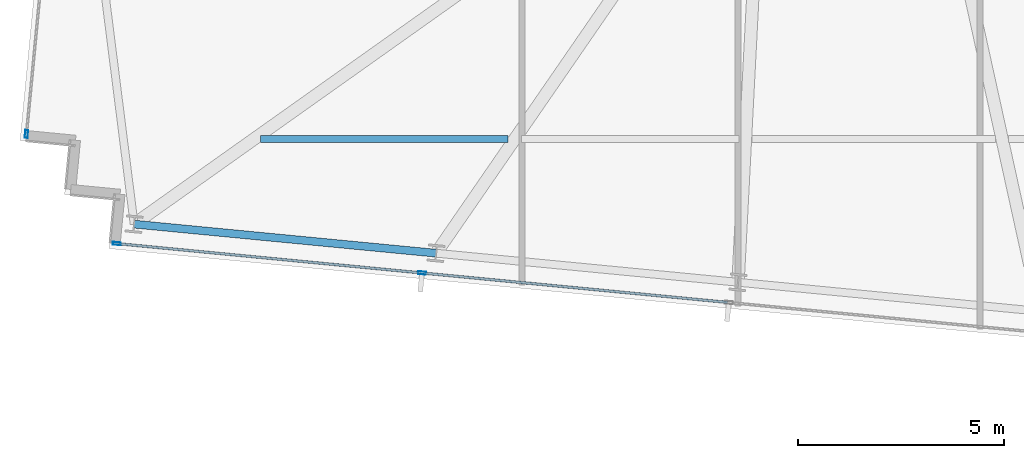
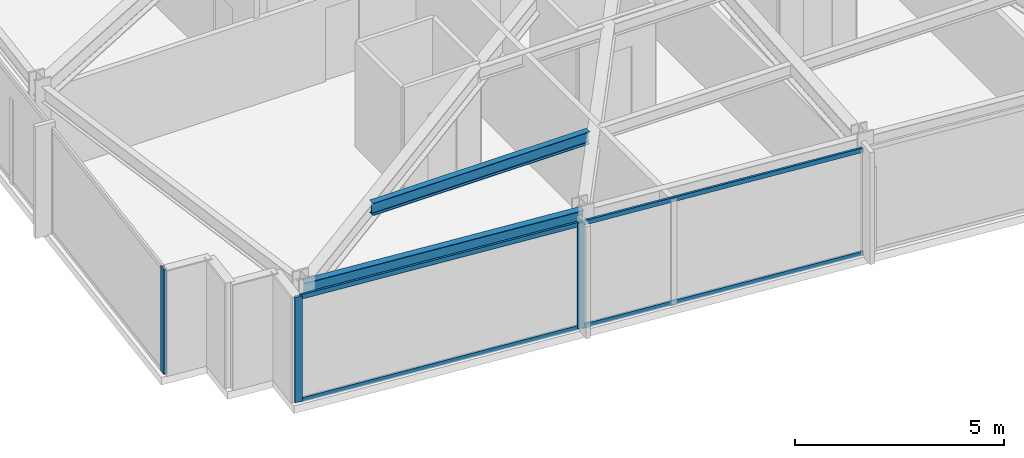
# One storey, part 2 of 38: 7 members, 2 beams, 2 elements without a shape of their own.
"""IFC4 building model written with IfcOpenShell, lengths in metres."""

from ifc_helpers import new_model, si_unit, direction, frame, origin, origin_2d, place, context, subcontext, project, spatial, hollow_rectangle, i_section, extrude, material, material_profile, profile_set, type_object, element, aggregate, save


model = new_model("IFC4")

# Units and contexts
model_context = context("Model", 3, precision=1e-05, world=origin(), true_north=direction((0.0, 1.0)))
body_context = subcontext(model_context, "Body", "Model", "MODEL_VIEW")
ifc_project = project(units=[si_unit("LENGTHUNIT", "METRE"), si_unit("AREAUNIT", "SQUARE_METRE"), si_unit("VOLUMEUNIT", "CUBIC_METRE"), si_unit("PLANEANGLEUNIT", "RADIAN"), si_unit("MASSUNIT", "GRAM", prefix="KILO")], contexts=[model_context])

# Site, building, storey
site_placement = place(None, origin())
site = spatial("IfcSite", under=ifc_project, at=site_placement, CompositionType="ELEMENT")
building_placement = place(site_placement, origin())
building = spatial("IfcBuilding", under=site, at=building_placement, Name="Yelkora Congress Tower", CompositionType="ELEMENT")
storey_placement = place(building_placement, frame((0.0, 0.0, 155.60009765625)))
storey = spatial("IfcBuildingStorey", under=building, at=storey_placement, Name="L42", CompositionType="ELEMENT", Elevation=155.60009765625)

# Beams
ifc_material_1 = material(Name="Steel S355J2", Category="steel")
ifc_material_profile_1 = material_profile(ifc_material_1, i_section(OverallWidth=0.169921875, OverallDepth=0.360107421875, WebThickness=0.008056640625, FlangeThickness=0.0126953125, FilletRadius=0.01806640625, at=origin_2d()), Name="IPE 360")
ifc_profile_set_1 = profile_set([ifc_material_profile_1], Name="Steel S355J2")
beam_type_1 = type_object("IfcBeamType", Name="BM-JOIST-IPE360", PredefinedType="JOIST", material=ifc_profile_set_1)
beam_1_placement = place(storey_placement, frame((6.98779296875, 16.421142578125, 2.89990234375), z_axis=(1.0, 0.0, 0.0), x_axis=(0.0, 1.0, 0.0)))
element("IfcBeam", 1, at=beam_1_placement, inside=storey, type_object=beam_type_1, Name="L42 Composite Floor Joist 5", PredefinedType="JOIST", context=body_context, shape_type="SweptSolid", body=[
    extrude(i_section(OverallWidth=0.169921875, OverallDepth=0.360107421875, WebThickness=0.008056640625, FlangeThickness=0.0126953125, FilletRadius=0.01806640625, at=origin_2d()), origin(), (0.0, 0.0, 1.0), 6.002685546875),
])
ifc_material_profile_2 = material_profile(ifc_material_1, i_section(OverallWidth=0.18994140625, OverallDepth=0.449951171875, WebThickness=0.009521484375, FlangeThickness=0.0146484375, FilletRadius=0.02099609375, at=origin_2d()), Name="IPE 450")
ifc_profile_set_2 = profile_set([ifc_material_profile_2], Name="Steel S355J2")
beam_type_2 = type_object("IfcBeamType", Name="BM-SPAN-IPE450", PredefinedType="SPANDREL", material=ifc_profile_set_2)
beam_2_placement = place(storey_placement, frame((3.919189453125, 14.357421875, 2.85498046875), z_axis=(0.995393938538, -0.095869218844, 0.0), x_axis=(0.095869218844, 0.995393938538, 0.0)))
element("IfcBeam", 2, at=beam_2_placement, inside=storey, type_object=beam_type_2, Name="L42 Perimeter Beam 2", PredefinedType="SPANDREL", context=body_context, shape_type="SweptSolid", body=[
    extrude(i_section(OverallWidth=0.18994140625, OverallDepth=0.449951171875, WebThickness=0.009521484375, FlangeThickness=0.0146484375, FilletRadius=0.02099609375, at=origin_2d()), origin(), (0.0, 0.0, 1.0), 7.357177734375),
])

# Curtain wall, member
ifc_material_2 = material(Name="Anodised aluminium and insulated glass", Category="aluminium")
curtain_wall_type = type_object("IfcCurtainWallType", Name="CW-SYS-B3", PredefinedType="NOTDEFINED", material=ifc_material_2)
curtain_wall_1_placement = place(storey_placement, origin())
curtain_wall_1 = element("IfcCurtainWall", 3, at=curtain_wall_1_placement, inside=storey, type_object=curtain_wall_type, Name="L42 Unitised Curtain Wall 5", PredefinedType="NOTDEFINED")
ifc_material_3 = material(Name="Anodised aluminium 6063-T6", Category="aluminium")
ifc_material_profile_3 = material_profile(ifc_material_3, hollow_rectangle(XDim=0.070068359375, YDim=0.18994140625, WallThickness=0.00390625, at=origin_2d()), Name="ALU 70x190x4")
ifc_profile_set_3 = profile_set([ifc_material_profile_3], Name="Anodised aluminium 6063-T6")
member_type_1 = type_object("IfcMemberType", Name="MEM-ML-B3", PredefinedType="MULLION", material=ifc_profile_set_3)
member_1_placement = place(storey_placement, frame((1.306640625, 16.542724609375, 0.0), z_axis=(0.0, 0.0, 1.0), x_axis=(-0.995396242473, 0.095845294465, 0.0)))
member_1 = element("IfcMember", 4, at=member_1_placement, type_object=member_type_1, Name="CW-B3 mullion 1", PredefinedType="MULLION", context=body_context, shape_type="SweptSolid", body=[
    extrude(hollow_rectangle(XDim=0.070068359375, YDim=0.18994140625, WallThickness=0.00390625, at=origin_2d()), origin(), (0.0, 0.0, 1.0), 3.079833984375),
])
aggregate(curtain_wall_1, [member_1])

# Curtain wall, members
curtain_wall_2_placement = place(storey_placement, origin())
curtain_wall_2 = element("IfcCurtainWall", 5, at=curtain_wall_2_placement, inside=storey, type_object=curtain_wall_type, Name="L42 Unitised Curtain Wall 20", PredefinedType="NOTDEFINED")
member_2_placement = place(storey_placement, frame((10.902099609375, 13.172607421875, 0.0), z_axis=(0.0, 0.0, 1.0), x_axis=(-0.095844680679, -0.995396301573, 0.0)))
member_2 = element("IfcMember", 6, at=member_2_placement, type_object=member_type_1, Name="CW-B3 mullion 7", PredefinedType="MULLION", context=body_context, shape_type="SweptSolid", body=[
    extrude(hollow_rectangle(XDim=0.070068359375, YDim=0.18994140625, WallThickness=0.00390625, at=origin_2d()), origin(), (0.0, 0.0, 1.0), 3.079833984375),
])
member_3_placement = place(storey_placement, frame((3.4970703125, 13.885498046875, 0.0), z_axis=(0.0, 0.0, 1.0), x_axis=(-0.095844680679, -0.995396301573, 0.0)))
member_3 = element("IfcMember", 7, at=member_3_placement, type_object=member_type_1, Name="CW-B3 mullion 8", PredefinedType="MULLION", context=body_context, shape_type="SweptSolid", body=[
    extrude(hollow_rectangle(XDim=0.070068359375, YDim=0.18994140625, WallThickness=0.00390625, at=origin_2d()), origin(), (0.0, 0.0, 1.0), 3.079833984375),
])
ifc_material_profile_4 = material_profile(ifc_material_3, hollow_rectangle(XDim=0.06005859375, YDim=0.1298828125, WallThickness=0.00390625, at=origin_2d()), Name="ALU 60x130x4")
ifc_profile_set_4 = profile_set([ifc_material_profile_4], Name="Anodised aluminium 6063-T6")
member_type_2 = type_object("IfcMemberType", Name="MEM-TR-B3", PredefinedType="USERDEFINED", material=ifc_profile_set_4)
member_4_placement = place(storey_placement, frame((18.30712890625, 12.45947265625, 0.02978515625), z_axis=(-0.99539548672, 0.095853142967, 0.0), x_axis=(-0.095853142967, -0.99539548672, 0.0)))
member_4 = element("IfcMember", 8, at=member_4_placement, type_object=member_type_2, Name="CW-B3 transom 6.1", ObjectType="TRANSOM", PredefinedType="USERDEFINED", context=body_context, shape_type="SweptSolid", body=[
    extrude(hollow_rectangle(XDim=0.06005859375, YDim=0.1298828125, WallThickness=0.00390625, at=origin_2d()), origin(), (0.0, 0.0, 1.0), 7.404296875),
])
member_5_placement = place(storey_placement, frame((18.30712890625, 12.45947265625, 3.0498046875), z_axis=(-0.99539548672, 0.095853142967, 0.0), x_axis=(-0.095853142967, -0.99539548672, 0.0)))
member_5 = element("IfcMember", 9, at=member_5_placement, type_object=member_type_2, Name="CW-B3 transom 6.2", ObjectType="TRANSOM", PredefinedType="USERDEFINED", context=body_context, shape_type="SweptSolid", body=[
    extrude(hollow_rectangle(XDim=0.06005859375, YDim=0.1298828125, WallThickness=0.00390625, at=origin_2d()), origin(), (0.0, 0.0, 1.0), 7.404296875),
])
member_6_placement = place(storey_placement, frame((10.8671875, 13.17578125, 0.02978515625), z_axis=(-0.995396212442, 0.095845606344, 0.0), x_axis=(-0.095845606344, -0.995396212442, 0.0)))
member_6 = element("IfcMember", 10, at=member_6_placement, type_object=member_type_2, Name="CW-B3 transom 7.1", ObjectType="TRANSOM", PredefinedType="USERDEFINED", context=body_context, shape_type="SweptSolid", body=[
    extrude(hollow_rectangle(XDim=0.06005859375, YDim=0.1298828125, WallThickness=0.00390625, at=origin_2d()), origin(), (0.0, 0.0, 1.0), 7.369140625),
])
member_7_placement = place(storey_placement, frame((10.8671875, 13.17578125, 3.0498046875), z_axis=(-0.995396212442, 0.095845606344, 0.0), x_axis=(-0.095845606344, -0.995396212442, 0.0)))
member_7 = element("IfcMember", 11, at=member_7_placement, type_object=member_type_2, Name="CW-B3 transom 7.2", ObjectType="TRANSOM", PredefinedType="USERDEFINED", context=body_context, shape_type="SweptSolid", body=[
    extrude(hollow_rectangle(XDim=0.06005859375, YDim=0.1298828125, WallThickness=0.00390625, at=origin_2d()), origin(), (0.0, 0.0, 1.0), 7.369140625),
])
aggregate(curtain_wall_2, [member_2, member_3, member_4, member_5, member_6, member_7])

save(model, "model.ifc")
